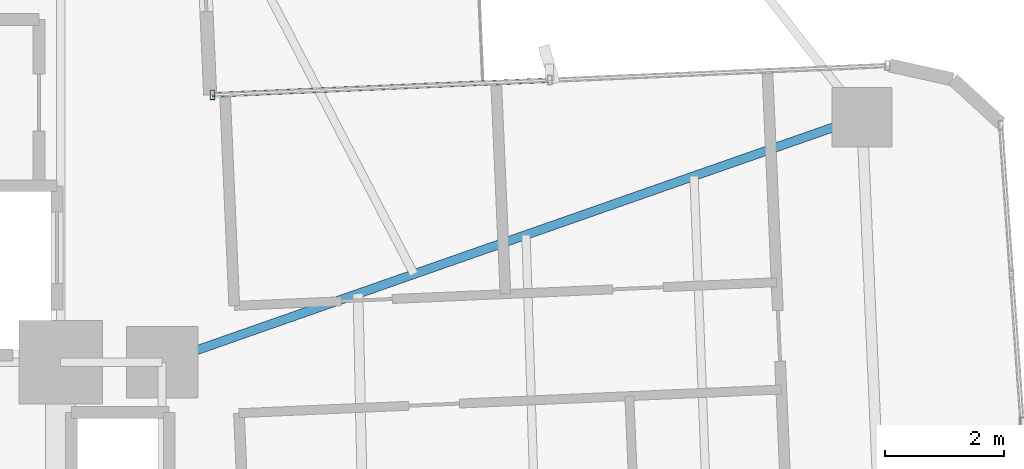
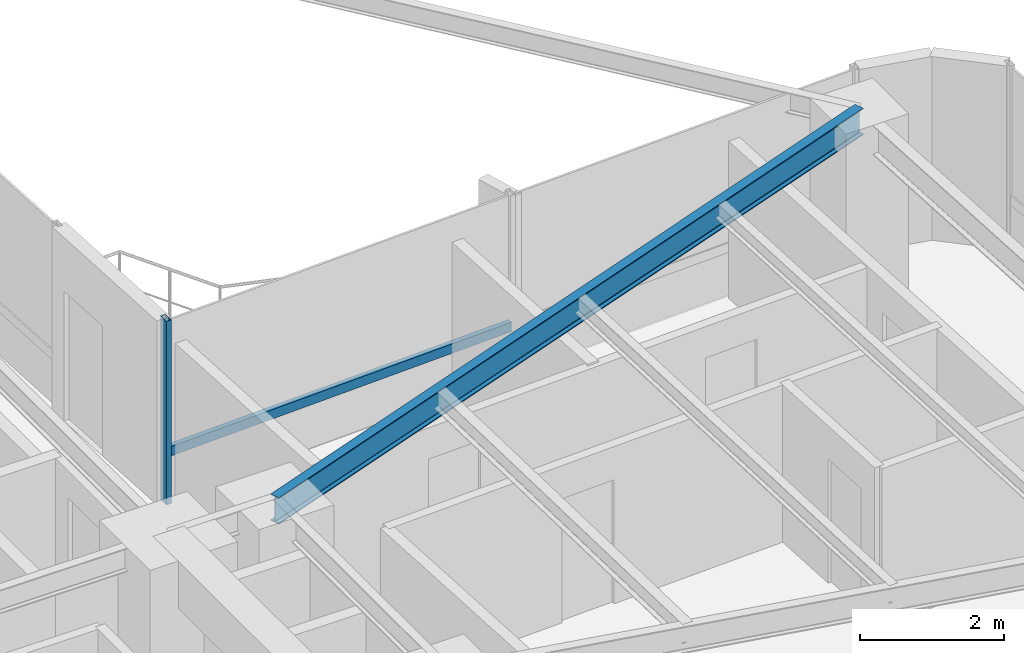
# One storey, part 13 of 26: 2 members, 1 beam, 1 element without a shape of its own.
"""IFC4 building model written with IfcOpenShell, lengths in metres."""

from ifc_helpers import new_model, si_unit, direction, frame, origin, origin_2d, place, context, subcontext, project, spatial, hollow_rectangle, i_section, extrude, source, transform, mapped, material, material_profile, profile_set, type_object, element, aggregate, save


model = new_model("IFC4")

# Units and contexts
model_context = context("Model", 3, precision=1e-05, world=origin(), true_north=direction((0.0, 1.0)))
body_context = subcontext(model_context, "Body", "Model", "MODEL_VIEW")
ifc_project = project(units=[si_unit("LENGTHUNIT", "METRE"), si_unit("AREAUNIT", "SQUARE_METRE"), si_unit("VOLUMEUNIT", "CUBIC_METRE"), si_unit("PLANEANGLEUNIT", "RADIAN"), si_unit("MASSUNIT", "GRAM", prefix="KILO")], contexts=[model_context])

# Site, building, storey
site_placement = place(None, origin())
site = spatial("IfcSite", under=ifc_project, at=site_placement, CompositionType="ELEMENT")
building_placement = place(site_placement, origin())
building = spatial("IfcBuilding", under=site, at=building_placement, Name="Sahyath Konkavel Grand Hotel", CompositionType="ELEMENT")
storey_placement = place(building_placement, frame((0.0, 0.0, 114.800048828125)))
storey = spatial("IfcBuildingStorey", under=building, at=storey_placement, Name="L31", CompositionType="ELEMENT", Elevation=114.800048828125)

# Beam
ifc_material_1 = material(Name="Steel E350", Category="steel")
ifc_material_profile_1 = material_profile(ifc_material_1, i_section(OverallWidth=0.14990234375, OverallDepth=0.449951171875, WebThickness=0.009521484375, FlangeThickness=0.017333984375, FilletRadius=0.014892578125, at=origin_2d()), Name="ISMB 450")
ifc_profile_set_1 = profile_set([ifc_material_profile_1], Name="Steel E350")
beam_type = type_object("IfcBeamType", Name="BM-ISMB450", PredefinedType="BEAM", material=ifc_profile_set_1)
shared_shape_1 = source(origin(), body_context, "Body", "SweptSolid", [
    extrude(i_section(OverallWidth=0.14990234375, OverallDepth=0.449951171875, WebThickness=0.009521484375, FlangeThickness=0.017333984375, FilletRadius=0.014892578125, at=origin_2d()), origin(), (0.0, 0.0, 1.0), 12.430908203125),
])
beam_placement = place(storey_placement, frame((5.5, 2.39990234375, 2.885009765625), z_axis=(0.943819157235, 0.330462400941, 0.0), x_axis=(-0.330462400941, 0.943819157235, 0.0)))
element("IfcBeam", 1, at=beam_placement, inside=storey, type_object=beam_type, Name="L31 Cruciform Radial Girder EB", PredefinedType="BEAM", context=body_context, shape_type="MappedRepresentation", body=[
    mapped(shared_shape_1, transform((0.0, 0.0, 0.0), scale=1.0)),
])

# Curtain wall, members
ifc_material_2 = material(Name="Anodised Bronze Aluminium & Low-E Glazing", Category="aluminium")
curtain_wall_type = type_object("IfcCurtainWallType", Name="CW-ZONE2", PredefinedType="NOTDEFINED", material=ifc_material_2)
curtain_wall_placement = place(storey_placement, origin())
curtain_wall = element("IfcCurtainWall", 2, at=curtain_wall_placement, inside=storey, type_object=curtain_wall_type, Name="L31 Unitised Curtain Wall F7", PredefinedType="NOTDEFINED")
ifc_material_3 = material(Name="Anodised Bronze Aluminium", Category="aluminium")
ifc_material_profile_2 = material_profile(ifc_material_3, hollow_rectangle(XDim=0.080078125, YDim=0.159912109375, WallThickness=0.006103515625, at=origin_2d()), Name="RHS 160x80x6")
ifc_profile_set_2 = profile_set([ifc_material_profile_2], Name="Anodised Bronze Aluminium")
member_type_1 = type_object("IfcMemberType", Name="CW-MUL-160", PredefinedType="MULLION", material=ifc_profile_set_2)
shared_shape_2 = source(origin(), body_context, "Body", "SweptSolid", [
    extrude(hollow_rectangle(XDim=0.080078125, YDim=0.159912109375, WallThickness=0.006103515625, at=origin_2d()), origin(), (0.0, 0.0, 1.0), 3.10986328125),
])
member_1_placement = place(storey_placement, frame((6.345703125, 6.88330078125, 0.0), z_axis=(0.0, 0.0, 1.0), x_axis=(1.0, 0.0, 0.0)))
member_1 = element("IfcMember", 3, at=member_1_placement, type_object=member_type_1, Name="L31 Curtain Wall Mullion F7-2", PredefinedType="MULLION", context=body_context, shape_type="MappedRepresentation", body=[
    mapped(shared_shape_2, transform((0.0, 0.0, 0.0), scale=1.0)),
])
ifc_material_profile_3 = material_profile(ifc_material_3, hollow_rectangle(XDim=0.080078125, YDim=0.159912109375, WallThickness=0.006103515625, at=origin_2d()), Name="RHS 160x80x6")
ifc_profile_set_3 = profile_set([ifc_material_profile_3], Name="Anodised Bronze Aluminium")
member_type_2 = type_object("IfcMemberType", Name="CW-TRN-160", PredefinedType="USERDEFINED", material=ifc_profile_set_3)
shared_shape_3 = source(origin(), body_context, "Body", "SweptSolid", [
    extrude(hollow_rectangle(XDim=0.080078125, YDim=0.159912109375, WallThickness=0.006103515625, at=origin_2d()), origin(), (0.0, 0.0, 1.0), 5.66015625),
])
member_2_placement = place(storey_placement, frame((12.00048828125, 7.13037109375, 0.849853515625), z_axis=(-0.9990468579, -0.043650609628, 0.0), x_axis=(0.043650609628, -0.9990468579, 0.0)))
member_2 = element("IfcMember", 4, at=member_2_placement, type_object=member_type_2, Name="L31 Curtain Wall Transom F7-1-spandrel", ObjectType="TRANSOM", PredefinedType="USERDEFINED", context=body_context, shape_type="MappedRepresentation", body=[
    mapped(shared_shape_3, transform((0.0, 0.0, 0.0), scale=1.0)),
])
aggregate(curtain_wall, [member_1, member_2])

save(model, "model.ifc")
